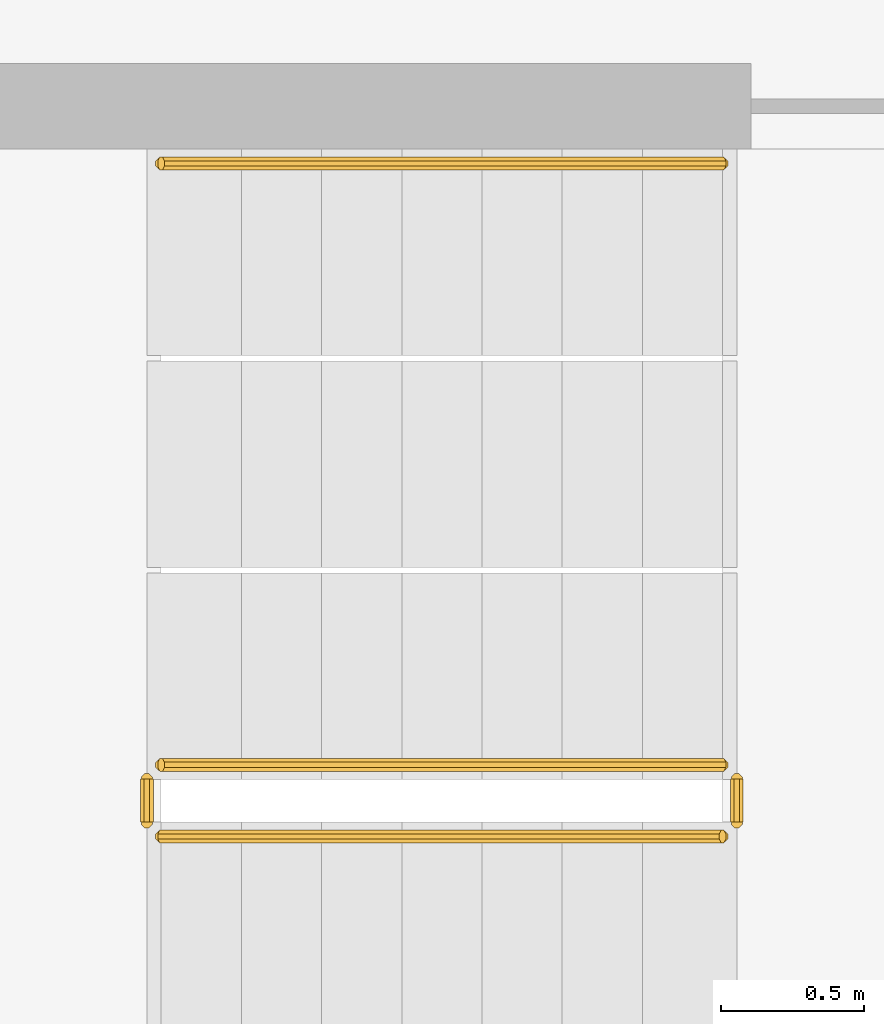
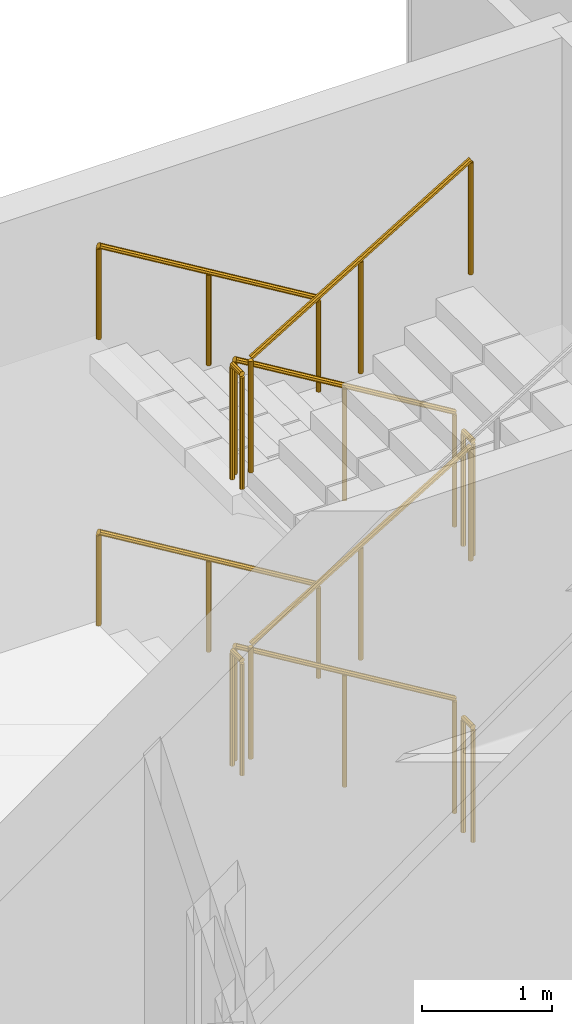
# One storey, part 21 of 32: 10 railings.
"""IFC4 building model written with IfcOpenShell, lengths in metres."""

from ifc_helpers import new_model, si_unit, direction, frame, origin, place, context, subcontext, project, spatial, polyline, outline, extrude, material, type_object, element, save


model = new_model("IFC4")

# Units and contexts
model_context = context("Model", 3, precision=1e-05, world=origin(), true_north=direction((0.0, 1.0)))
body_context = subcontext(model_context, "Body", "Model", "MODEL_VIEW")
ifc_project = project(units=[si_unit("LENGTHUNIT", "METRE"), si_unit("AREAUNIT", "SQUARE_METRE"), si_unit("VOLUMEUNIT", "CUBIC_METRE"), si_unit("PLANEANGLEUNIT", "RADIAN"), si_unit("MASSUNIT", "GRAM", prefix="KILO")], contexts=[model_context])

# Site, building, storey
site_placement = place(None, origin())
site = spatial("IfcSite", under=ifc_project, at=site_placement, CompositionType="ELEMENT")
building_placement = place(site_placement, origin())
building = spatial("IfcBuilding", under=site, at=building_placement, Name="Cormorant Relay Tower", CompositionType="ELEMENT")
storey_placement = place(building_placement, frame((0.0, 0.0, 39.199951171875)))
storey = spatial("IfcBuildingStorey", under=building, at=storey_placement, Name="L07", CompositionType="ELEMENT", Elevation=39.199951171875)

# Railings
ifc_material_1 = material(Name="Steel ASTM A572 Grade 50 (Fy 345 MPa)", Category="steel")
railing_type_1 = type_object("IfcRailingType", Name="Stair guard 1100", PredefinedType="GUARDRAIL", material=ifc_material_1)
railing_1_placement = place(storey_placement, frame((1.60009765625, -18.27490234375, 0.168701171875)))
element("IfcRailing", 1, at=railing_1_placement, inside=storey, type_object=railing_type_1, Name="L07 RK1 stair guard 1", PredefinedType="GUARDRAIL", context=body_context, shape_type="SweptSolid", body=[
    extrude(outline(polyline([(0.022216796875, 0.00927734375), (0.00927734375, 0.022216796875), (-0.00927734375, 0.022216796875), (-0.022216796875, 0.00927734375), (-0.022216796875, -0.00927734375), (-0.00927734375, -0.022216796875), (0.00927734375, -0.022216796875), (0.022216796875, -0.00927734375), (0.022216796875, 0.00927734375)])), frame((0.0, 0.0, 1.076171875), z_axis=(-0.856474724393, 0.0, 0.516188963923), x_axis=(0.0, -1.0, 0.0)), (0.0, 0.0, 1.0), 2.28857421875),
    extrude(outline(polyline([(0.019287109375, 0.008056640625), (0.008056640625, 0.019287109375), (-0.008056640625, 0.019287109375), (-0.019287109375, 0.008056640625), (-0.019287109375, -0.008056640625), (-0.008056640625, -0.019287109375), (0.008056640625, -0.019287109375), (0.019287109375, -0.008056640625), (0.019287109375, 0.008056640625)])), origin(), (0.0, 0.0, 1.0), 1.052001953125),
    extrude(outline(polyline([(0.019287109375, 0.008056640625), (0.008056640625, 0.019287109375), (-0.008056640625, 0.019287109375), (-0.019287109375, 0.008056640625), (-0.019287109375, -0.008056640625), (-0.008056640625, -0.019287109375), (0.008056640625, -0.019287109375), (0.019287109375, -0.008056640625), (0.019287109375, 0.008056640625)])), frame((-0.97998046875, 0.0, 0.5908203125)), (0.0, 0.0, 1.0), 1.052001953125),
    extrude(outline(polyline([(0.019287109375, 0.008056640625), (0.008056640625, 0.019287109375), (-0.008056640625, 0.019287109375), (-0.019287109375, 0.008056640625), (-0.019287109375, -0.008056640625), (-0.008056640625, -0.019287109375), (0.008056640625, -0.019287109375), (0.019287109375, -0.008056640625), (0.019287109375, 0.008056640625)])), frame((-1.960205078125, 0.0, 1.181396484375)), (0.0, 0.0, 1.0), 1.052001953125),
])
railing_2_placement = place(storey_placement, frame((-0.409912109375, -18.324951171875, 1.35009765625)))
element("IfcRailing", 2, at=railing_2_placement, inside=storey, type_object=railing_type_1, Name="L07 RK1 stair guard 2", PredefinedType="GUARDRAIL", context=body_context, shape_type="SweptSolid", body=[
    extrude(outline(polyline([(0.022216796875, 0.00927734375), (0.00927734375, 0.022216796875), (-0.00927734375, 0.022216796875), (-0.022216796875, 0.00927734375), (-0.022216796875, -0.00927734375), (-0.00927734375, -0.022216796875), (0.00927734375, -0.022216796875), (0.022216796875, -0.00927734375), (0.022216796875, 0.00927734375)])), frame((0.0, 0.0, 1.076171875), z_axis=(0.0, -1.0, 0.0), x_axis=(1.0, 0.0, 0.0)), (0.0, 0.0, 1.0), 0.150146484375),
    extrude(outline(polyline([(0.019287109375, 0.008056640625), (0.008056640625, 0.019287109375), (-0.008056640625, 0.019287109375), (-0.019287109375, 0.008056640625), (-0.019287109375, -0.008056640625), (-0.008056640625, -0.019287109375), (0.008056640625, -0.019287109375), (0.019287109375, -0.008056640625), (0.019287109375, 0.008056640625)])), origin(), (0.0, 0.0, 1.0), 1.052001953125),
    extrude(outline(polyline([(0.019287109375, 0.008056640625), (0.008056640625, 0.019287109375), (-0.008056640625, 0.019287109375), (-0.019287109375, 0.008056640625), (-0.019287109375, -0.008056640625), (-0.008056640625, -0.019287109375), (0.008056640625, -0.019287109375), (0.019287109375, -0.008056640625), (0.019287109375, 0.008056640625)])), frame((0.0, -0.150146484375, 0.0)), (0.0, 0.0, 1.0), 1.052001953125),
])
railing_3_placement = place(storey_placement, frame((-0.360107421875, -18.52490234375, 1.518798828125)))
element("IfcRailing", 3, at=railing_3_placement, inside=storey, type_object=railing_type_1, Name="L07 RK1 stair guard 3", PredefinedType="GUARDRAIL", context=body_context, shape_type="SweptSolid", body=[
    extrude(outline(polyline([(0.022216796875, 0.00927734375), (0.00927734375, 0.022216796875), (-0.00927734375, 0.022216796875), (-0.022216796875, 0.00927734375), (-0.022216796875, -0.00927734375), (-0.00927734375, -0.022216796875), (0.00927734375, -0.022216796875), (0.022216796875, -0.00927734375), (0.022216796875, 0.00927734375)])), frame((0.0, 0.0, 1.076171875), z_axis=(0.856521883693, 0.0, 0.516110707847), x_axis=(0.0, 1.0, 0.0)), (0.0, 0.0, 1.0), 2.28857421875),
    extrude(outline(polyline([(0.019287109375, 0.008056640625), (0.008056640625, 0.019287109375), (-0.008056640625, 0.019287109375), (-0.019287109375, 0.008056640625), (-0.019287109375, -0.008056640625), (-0.008056640625, -0.019287109375), (0.008056640625, -0.019287109375), (0.019287109375, -0.008056640625), (0.019287109375, 0.008056640625)])), origin(), (0.0, 0.0, 1.0), 1.052001953125),
    extrude(outline(polyline([(0.019287109375, 0.008056640625), (0.008056640625, 0.019287109375), (-0.008056640625, 0.019287109375), (-0.019287109375, 0.008056640625), (-0.019287109375, -0.008056640625), (-0.008056640625, -0.019287109375), (0.008056640625, -0.019287109375), (0.019287109375, -0.008056640625), (0.019287109375, 0.008056640625)])), frame((0.97998046875, 0.0, 0.590576171875)), (0.0, 0.0, 1.0), 1.052001953125),
    extrude(outline(polyline([(0.019287109375, 0.008056640625), (0.008056640625, 0.019287109375), (-0.008056640625, 0.019287109375), (-0.019287109375, 0.008056640625), (-0.019287109375, -0.008056640625), (-0.008056640625, -0.019287109375), (0.008056640625, -0.019287109375), (0.019287109375, -0.008056640625), (0.019287109375, 0.008056640625)])), frame((1.960205078125, 0.0, 1.18115234375)), (0.0, 0.0, 1.0), 1.052001953125),
])
railing_4_placement = place(storey_placement, frame((1.64990234375, -18.324951171875, 2.699951171875)))
element("IfcRailing", 4, at=railing_4_placement, inside=storey, type_object=railing_type_1, Name="L07 RK1 stair guard 4", PredefinedType="GUARDRAIL", context=body_context, shape_type="SweptSolid", body=[
    extrude(outline(polyline([(0.022216796875, 0.00927734375), (0.00927734375, 0.022216796875), (-0.00927734375, 0.022216796875), (-0.022216796875, 0.00927734375), (-0.022216796875, -0.00927734375), (-0.00927734375, -0.022216796875), (0.00927734375, -0.022216796875), (0.022216796875, -0.00927734375), (0.022216796875, 0.00927734375)])), frame((0.0, 0.0, 1.076171875), z_axis=(0.0, -1.0, 0.0), x_axis=(1.0, 0.0, 0.0)), (0.0, 0.0, 1.0), 0.150146484375),
    extrude(outline(polyline([(0.019287109375, 0.008056640625), (0.008056640625, 0.019287109375), (-0.008056640625, 0.019287109375), (-0.019287109375, 0.008056640625), (-0.019287109375, -0.008056640625), (-0.008056640625, -0.019287109375), (0.008056640625, -0.019287109375), (0.019287109375, -0.008056640625), (0.019287109375, 0.008056640625)])), origin(), (0.0, 0.0, 1.0), 1.052001953125),
    extrude(outline(polyline([(0.019287109375, 0.008056640625), (0.008056640625, 0.019287109375), (-0.008056640625, 0.019287109375), (-0.019287109375, 0.008056640625), (-0.019287109375, -0.008056640625), (-0.008056640625, -0.019287109375), (0.008056640625, -0.019287109375), (0.019287109375, -0.008056640625), (0.019287109375, 0.008056640625)])), frame((0.0, -0.150146484375, 0.0)), (0.0, 0.0, 1.0), 1.052001953125),
])
railing_5_placement = place(storey_placement, frame((1.60009765625, -18.27490234375, 2.868896484375)))
element("IfcRailing", 5, at=railing_5_placement, inside=storey, type_object=railing_type_1, Name="L07 RK1 stair guard 5", PredefinedType="GUARDRAIL", context=body_context, shape_type="SweptSolid", body=[
    extrude(outline(polyline([(0.022216796875, 0.00927734375), (0.00927734375, 0.022216796875), (-0.00927734375, 0.022216796875), (-0.022216796875, 0.00927734375), (-0.022216796875, -0.00927734375), (-0.00927734375, -0.022216796875), (0.00927734375, -0.022216796875), (0.022216796875, -0.00927734375), (0.022216796875, 0.00927734375)])), frame((0.0, 0.0, 1.076171875), z_axis=(-0.856521883693, 0.0, 0.516110707847), x_axis=(0.0, -1.0, 0.0)), (0.0, 0.0, 1.0), 2.28857421875),
    extrude(outline(polyline([(0.019287109375, 0.008056640625), (0.008056640625, 0.019287109375), (-0.008056640625, 0.019287109375), (-0.019287109375, 0.008056640625), (-0.019287109375, -0.008056640625), (-0.008056640625, -0.019287109375), (0.008056640625, -0.019287109375), (0.019287109375, -0.008056640625), (0.019287109375, 0.008056640625)])), origin(), (0.0, 0.0, 1.0), 1.052001953125),
    extrude(outline(polyline([(0.019287109375, 0.008056640625), (0.008056640625, 0.019287109375), (-0.008056640625, 0.019287109375), (-0.019287109375, 0.008056640625), (-0.019287109375, -0.008056640625), (-0.008056640625, -0.019287109375), (0.008056640625, -0.019287109375), (0.019287109375, -0.008056640625), (0.019287109375, 0.008056640625)])), frame((-0.97998046875, 0.0, 0.590576171875)), (0.0, 0.0, 1.0), 1.052001953125),
    extrude(outline(polyline([(0.019287109375, 0.008056640625), (0.008056640625, 0.019287109375), (-0.008056640625, 0.019287109375), (-0.019287109375, 0.008056640625), (-0.019287109375, -0.008056640625), (-0.008056640625, -0.019287109375), (0.008056640625, -0.019287109375), (0.019287109375, -0.008056640625), (0.019287109375, 0.008056640625)])), frame((-1.960205078125, 0.0, 1.18115234375)), (0.0, 0.0, 1.0), 1.052001953125),
])
railing_6_placement = place(storey_placement, frame((-0.409912109375, -18.324951171875, 4.050048828125)))
element("IfcRailing", 6, at=railing_6_placement, inside=storey, type_object=railing_type_1, Name="L07 RK1 stair guard 6", PredefinedType="GUARDRAIL", context=body_context, shape_type="SweptSolid", body=[
    extrude(outline(polyline([(0.022216796875, 0.00927734375), (0.00927734375, 0.022216796875), (-0.00927734375, 0.022216796875), (-0.022216796875, 0.00927734375), (-0.022216796875, -0.00927734375), (-0.00927734375, -0.022216796875), (0.00927734375, -0.022216796875), (0.022216796875, -0.00927734375), (0.022216796875, 0.00927734375)])), frame((0.0, 0.0, 1.076171875), z_axis=(0.0, -1.0, 0.0), x_axis=(1.0, 0.0, 0.0)), (0.0, 0.0, 1.0), 0.150146484375),
    extrude(outline(polyline([(0.019287109375, 0.008056640625), (0.008056640625, 0.019287109375), (-0.008056640625, 0.019287109375), (-0.019287109375, 0.008056640625), (-0.019287109375, -0.008056640625), (-0.008056640625, -0.019287109375), (0.008056640625, -0.019287109375), (0.019287109375, -0.008056640625), (0.019287109375, 0.008056640625)])), origin(), (0.0, 0.0, 1.0), 1.052001953125),
    extrude(outline(polyline([(0.019287109375, 0.008056640625), (0.008056640625, 0.019287109375), (-0.008056640625, 0.019287109375), (-0.019287109375, 0.008056640625), (-0.019287109375, -0.008056640625), (-0.008056640625, -0.019287109375), (0.008056640625, -0.019287109375), (0.019287109375, -0.008056640625), (0.019287109375, 0.008056640625)])), frame((0.0, -0.150146484375, 0.0)), (0.0, 0.0, 1.0), 1.052001953125),
])
railing_7_placement = place(storey_placement, frame((-0.360107421875, -18.52490234375, 4.21875)))
element("IfcRailing", 7, at=railing_7_placement, inside=storey, type_object=railing_type_1, Name="L07 RK1 stair guard 7", PredefinedType="GUARDRAIL", context=body_context, shape_type="SweptSolid", body=[
    extrude(outline(polyline([(0.022216796875, 0.00927734375), (0.00927734375, 0.022216796875), (-0.00927734375, 0.022216796875), (-0.022216796875, 0.00927734375), (-0.022216796875, -0.00927734375), (-0.00927734375, -0.022216796875), (0.00927734375, -0.022216796875), (0.022216796875, -0.00927734375), (0.022216796875, 0.00927734375)])), frame((0.0, 0.0, 1.076171875), z_axis=(0.856474724393, 0.0, 0.516188963923), x_axis=(0.0, 1.0, 0.0)), (0.0, 0.0, 1.0), 2.28857421875),
    extrude(outline(polyline([(0.019287109375, 0.008056640625), (0.008056640625, 0.019287109375), (-0.008056640625, 0.019287109375), (-0.019287109375, 0.008056640625), (-0.019287109375, -0.008056640625), (-0.008056640625, -0.019287109375), (0.008056640625, -0.019287109375), (0.019287109375, -0.008056640625), (0.019287109375, 0.008056640625)])), origin(), (0.0, 0.0, 1.0), 1.052001953125),
    extrude(outline(polyline([(0.019287109375, 0.008056640625), (0.008056640625, 0.019287109375), (-0.008056640625, 0.019287109375), (-0.019287109375, 0.008056640625), (-0.019287109375, -0.008056640625), (-0.008056640625, -0.019287109375), (0.008056640625, -0.019287109375), (0.019287109375, -0.008056640625), (0.019287109375, 0.008056640625)])), frame((0.97998046875, 0.0, 0.5908203125)), (0.0, 0.0, 1.0), 1.052001953125),
    extrude(outline(polyline([(0.019287109375, 0.008056640625), (0.008056640625, 0.019287109375), (-0.008056640625, 0.019287109375), (-0.019287109375, 0.008056640625), (-0.019287109375, -0.008056640625), (-0.008056640625, -0.019287109375), (0.008056640625, -0.019287109375), (0.019287109375, -0.008056640625), (0.019287109375, 0.008056640625)])), frame((1.960205078125, 0.0, 1.181396484375)), (0.0, 0.0, 1.0), 1.052001953125),
])
railing_8_placement = place(storey_placement, frame((1.64990234375, -18.324951171875, 0.0)))
element("IfcRailing", 8, at=railing_8_placement, inside=storey, type_object=railing_type_1, Name="L07 RK1 stair guard 8", PredefinedType="GUARDRAIL", context=body_context, shape_type="SweptSolid", body=[
    extrude(outline(polyline([(0.022216796875, 0.00927734375), (0.00927734375, 0.022216796875), (-0.00927734375, 0.022216796875), (-0.022216796875, 0.00927734375), (-0.022216796875, -0.00927734375), (-0.00927734375, -0.022216796875), (0.00927734375, -0.022216796875), (0.022216796875, -0.00927734375), (0.022216796875, 0.00927734375)])), frame((0.0, 0.0, 1.076171875), z_axis=(0.0, -1.0, 0.0), x_axis=(1.0, 0.0, 0.0)), (0.0, 0.0, 1.0), 0.150146484375),
    extrude(outline(polyline([(0.019287109375, 0.008056640625), (0.008056640625, 0.019287109375), (-0.008056640625, 0.019287109375), (-0.019287109375, 0.008056640625), (-0.019287109375, -0.008056640625), (-0.008056640625, -0.019287109375), (0.008056640625, -0.019287109375), (0.019287109375, -0.008056640625), (0.019287109375, 0.008056640625)])), origin(), (0.0, 0.0, 1.0), 1.052001953125),
    extrude(outline(polyline([(0.019287109375, 0.008056640625), (0.008056640625, 0.019287109375), (-0.008056640625, 0.019287109375), (-0.019287109375, 0.008056640625), (-0.019287109375, -0.008056640625), (-0.008056640625, -0.019287109375), (0.008056640625, -0.019287109375), (0.019287109375, -0.008056640625), (0.019287109375, 0.008056640625)])), frame((0.0, -0.150146484375, 0.0)), (0.0, 0.0, 1.0), 1.052001953125),
])
ifc_material_2 = material(Name="Steel ASTM A572 Grade 50 (Fy 345 MPa)", Category="steel")
railing_type_2 = type_object("IfcRailingType", Name="Stair handrail 900", PredefinedType="HANDRAIL", material=ifc_material_2)
railing_9_placement = place(storey_placement, frame((1.60009765625, -16.175048828125, 0.168701171875)))
element("IfcRailing", 9, at=railing_9_placement, inside=storey, type_object=railing_type_2, Name="L07 RK1 stair handrail 1", PredefinedType="HANDRAIL", context=body_context, shape_type="SweptSolid", body=[
    extrude(outline(polyline([(0.022216796875, 0.00927734375), (0.00927734375, 0.022216796875), (-0.00927734375, 0.022216796875), (-0.022216796875, 0.00927734375), (-0.022216796875, -0.00927734375), (-0.00927734375, -0.022216796875), (0.00927734375, -0.022216796875), (0.022216796875, -0.00927734375), (0.022216796875, 0.00927734375)])), frame((0.0, 0.0, 0.8759765625), z_axis=(-0.856474724393, 0.0, 0.516188963923), x_axis=(0.0, -1.0, 0.0)), (0.0, 0.0, 1.0), 2.28857421875),
    extrude(outline(polyline([(0.019287109375, 0.008056640625), (0.008056640625, 0.019287109375), (-0.008056640625, 0.019287109375), (-0.019287109375, 0.008056640625), (-0.019287109375, -0.008056640625), (-0.008056640625, -0.019287109375), (0.008056640625, -0.019287109375), (0.019287109375, -0.008056640625), (0.019287109375, 0.008056640625)])), origin(), (0.0, 0.0, 1.0), 0.851806640625),
    extrude(outline(polyline([(0.019287109375, 0.008056640625), (0.008056640625, 0.019287109375), (-0.008056640625, 0.019287109375), (-0.019287109375, 0.008056640625), (-0.019287109375, -0.008056640625), (-0.008056640625, -0.019287109375), (0.008056640625, -0.019287109375), (0.019287109375, -0.008056640625), (0.019287109375, 0.008056640625)])), frame((-0.97998046875, 0.0, 0.5908203125)), (0.0, 0.0, 1.0), 0.851806640625),
    extrude(outline(polyline([(0.019287109375, 0.008056640625), (0.008056640625, 0.019287109375), (-0.008056640625, 0.019287109375), (-0.019287109375, 0.008056640625), (-0.019287109375, -0.008056640625), (-0.008056640625, -0.019287109375), (0.008056640625, -0.019287109375), (0.019287109375, -0.008056640625), (0.019287109375, 0.008056640625)])), frame((-1.960205078125, 0.0, 1.181396484375)), (0.0, 0.0, 1.0), 0.851806640625),
])
railing_10_placement = place(storey_placement, frame((1.60009765625, -16.175048828125, 2.868896484375)))
element("IfcRailing", 10, at=railing_10_placement, inside=storey, type_object=railing_type_2, Name="L07 RK1 stair handrail 3", PredefinedType="HANDRAIL", context=body_context, shape_type="SweptSolid", body=[
    extrude(outline(polyline([(0.022216796875, 0.00927734375), (0.00927734375, 0.022216796875), (-0.00927734375, 0.022216796875), (-0.022216796875, 0.00927734375), (-0.022216796875, -0.00927734375), (-0.00927734375, -0.022216796875), (0.00927734375, -0.022216796875), (0.022216796875, -0.00927734375), (0.022216796875, 0.00927734375)])), frame((0.0, 0.0, 0.8759765625), z_axis=(-0.856521883693, 0.0, 0.516110707847), x_axis=(0.0, -1.0, 0.0)), (0.0, 0.0, 1.0), 2.28857421875),
    extrude(outline(polyline([(0.019287109375, 0.008056640625), (0.008056640625, 0.019287109375), (-0.008056640625, 0.019287109375), (-0.019287109375, 0.008056640625), (-0.019287109375, -0.008056640625), (-0.008056640625, -0.019287109375), (0.008056640625, -0.019287109375), (0.019287109375, -0.008056640625), (0.019287109375, 0.008056640625)])), origin(), (0.0, 0.0, 1.0), 0.851806640625),
    extrude(outline(polyline([(0.019287109375, 0.008056640625), (0.008056640625, 0.019287109375), (-0.008056640625, 0.019287109375), (-0.019287109375, 0.008056640625), (-0.019287109375, -0.008056640625), (-0.008056640625, -0.019287109375), (0.008056640625, -0.019287109375), (0.019287109375, -0.008056640625), (0.019287109375, 0.008056640625)])), frame((-0.97998046875, 0.0, 0.590576171875)), (0.0, 0.0, 1.0), 0.851806640625),
    extrude(outline(polyline([(0.019287109375, 0.008056640625), (0.008056640625, 0.019287109375), (-0.008056640625, 0.019287109375), (-0.019287109375, 0.008056640625), (-0.019287109375, -0.008056640625), (-0.008056640625, -0.019287109375), (0.008056640625, -0.019287109375), (0.019287109375, -0.008056640625), (0.019287109375, 0.008056640625)])), frame((-1.960205078125, 0.0, 1.18115234375)), (0.0, 0.0, 1.0), 0.851806640625),
])

save(model, "model.ifc")
